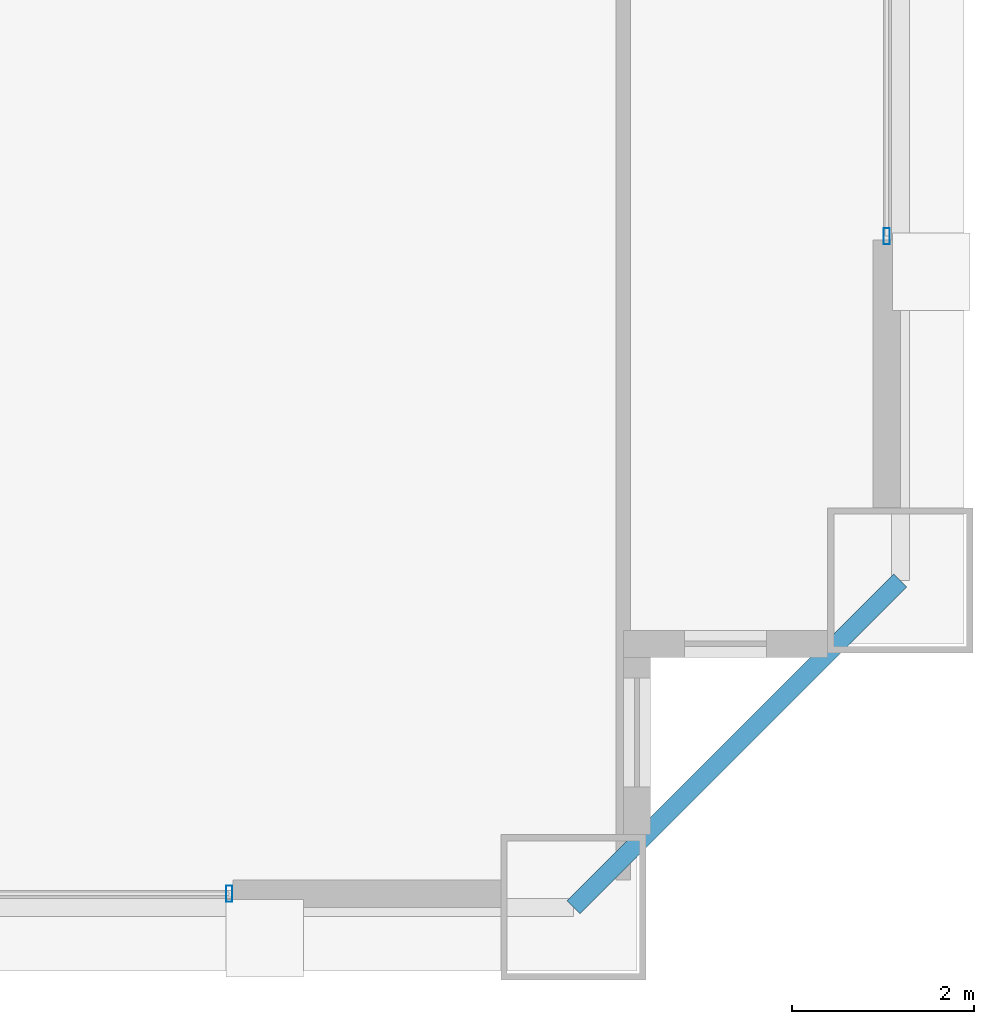
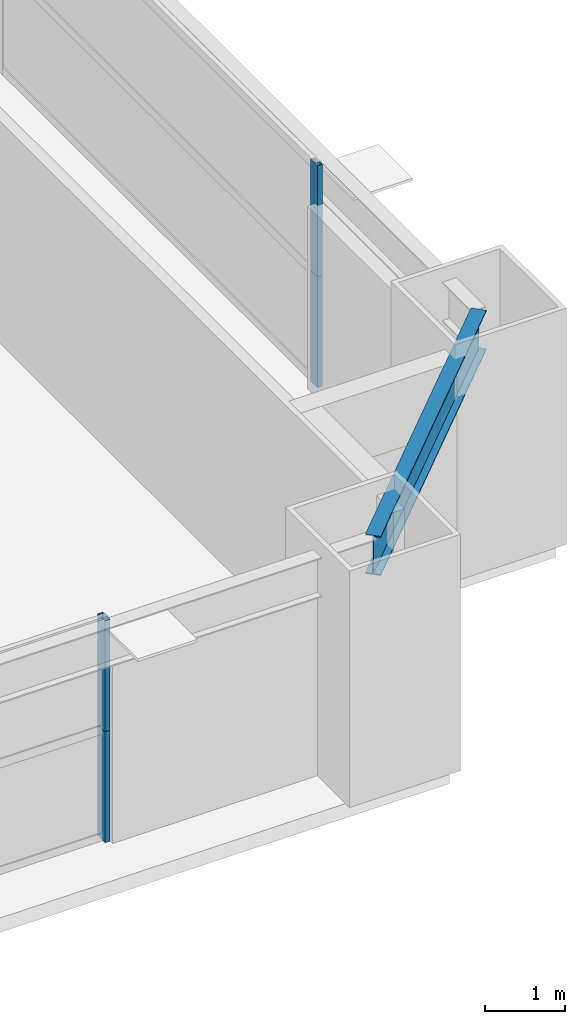
# One storey, part 16 of 39: 4 members, 1 beam, 2 elements without a shape of their own.
"""IFC4 building model written with IfcOpenShell, lengths in metres."""

from ifc_helpers import new_model, si_unit, direction, frame, origin, origin_2d, place, context, subcontext, project, spatial, hollow_rectangle, i_section, extrude, source, transform, mapped, material, layer, layer_set, material_profile, profile_set, type_object, element, aggregate, save


model = new_model("IFC4")

# Units and contexts
model_context = context("Model", 3, precision=1e-05, world=origin(), true_north=direction((0.0, 1.0)))
body_context = subcontext(model_context, "Body", "Model", "MODEL_VIEW")
ifc_project = project(units=[si_unit("LENGTHUNIT", "METRE"), si_unit("AREAUNIT", "SQUARE_METRE"), si_unit("VOLUMEUNIT", "CUBIC_METRE"), si_unit("PLANEANGLEUNIT", "RADIAN"), si_unit("MASSUNIT", "GRAM", prefix="KILO"), si_unit("THERMODYNAMICTEMPERATUREUNIT", "KELVIN"), si_unit("POWERUNIT", "WATT")], contexts=[model_context])

# Site, building, storey
site_placement = place(None, origin())
site = spatial("IfcSite", under=ifc_project, at=site_placement, CompositionType="ELEMENT")
building_placement = place(site_placement, origin())
building = spatial("IfcBuilding", under=site, at=building_placement, Name="Yuzanri Waterfront Tower", CompositionType="ELEMENT")
storey_placement = place(building_placement, frame((0.0, 0.0, 148.800048828125)))
storey = spatial("IfcBuildingStorey", under=building, at=storey_placement, Name="L39", CompositionType="ELEMENT", Elevation=148.800048828125)

# Beam
ifc_material_1 = material(Name="Steel Q355B", Category="steel")
ifc_material_profile_1 = material_profile(ifc_material_1, i_section(OverallWidth=0.199951171875, OverallDepth=0.60009765625, WebThickness=0.010986328125, FlangeThickness=0.01708984375, at=origin_2d()), Name="HN 600x200x11x17")
ifc_profile_set_1 = profile_set([ifc_material_profile_1], Name="Steel Q355B")
beam_type = type_object("IfcBeamType", Name="Perimeter Spandrel Q355B HN 600x200", PredefinedType="SPANDREL", material=ifc_profile_set_1)
shared_shape_1 = source(origin(), body_context, "Body", "SweptSolid", [
    extrude(i_section(OverallWidth=0.199951171875, OverallDepth=0.60009765625, WebThickness=0.010986328125, FlangeThickness=0.01708984375, at=origin_2d()), origin(), (0.0, 0.0, 1.0), 5.09130859375),
])
beam_placement = place(storey_placement, frame((57.0, 2.199951171875, 3.079833984375), z_axis=(0.707106781187, 0.707106781187, 0.0), x_axis=(-0.707106781187, 0.707106781187, 0.0)))
element("IfcBeam", 1, at=beam_placement, inside=storey, type_object=beam_type, Name="L39 Perimeter Spandrel S3-E1", PredefinedType="SPANDREL", context=body_context, shape_type="MappedRepresentation", body=[
    mapped(shared_shape_1, transform((0.0, 0.0, 0.0), scale=1.0)),
])

# Curtain wall, members
ifc_material_2 = material(Name="Anodized Architectural Bronze", Category="metal")
ifc_layer = layer(ifc_material_2, 0.159912109375)
ifc_layer_set = layer_set([ifc_layer], Name="Anodized Architectural Bronze")
curtain_wall_type = type_object("IfcCurtainWallType", Name="Anodized Bronze Hotel Upper-Tier Solar-Control Unitized Curtain Wall 7800", PredefinedType="NOTDEFINED", material=ifc_layer_set)
curtain_wall_1_placement = place(storey_placement, origin())
curtain_wall_1 = element("IfcCurtainWall", 2, at=curtain_wall_1_placement, inside=storey, type_object=curtain_wall_type, Name="L39 Curtain Wall CW-L39-SR", PredefinedType="NOTDEFINED")
ifc_material_3 = material(Name="Anodized Architectural Bronze", Category="metal")
ifc_material_profile_2 = material_profile(ifc_material_3, hollow_rectangle(XDim=0.070068359375, YDim=0.179931640625, WallThickness=0.00390625, at=origin_2d()), Name="CWM 70x180")
ifc_profile_set_2 = profile_set([ifc_material_profile_2], Name="Anodized Architectural Bronze")
member_type = type_object("IfcMemberType", Name="Anodized Bronze Standard Curtain-Wall Mullion 70x180", PredefinedType="MULLION", material=ifc_profile_set_2)
shared_shape_2 = source(origin(), body_context, "Body", "SweptSolid", [
    extrude(hollow_rectangle(XDim=0.070068359375, YDim=0.179931640625, WallThickness=0.00390625, at=origin_2d()), origin(), (0.0, 0.0, 1.0), 1.68798828125),
])
member_1_placement = place(storey_placement, frame((53.2099609375, 2.35009765625, 0.0), z_axis=(0.0, 0.0, 1.0), x_axis=(1.0, 0.0, 0.0)))
member_1 = element("IfcMember", 3, at=member_1_placement, type_object=member_type, Name="CW-L39-SR Lower Mullion 02", PredefinedType="MULLION", context=body_context, shape_type="MappedRepresentation", body=[
    mapped(shared_shape_2, transform((0.0, 0.0, 0.0), scale=1.0)),
])
member_2_placement = place(storey_placement, frame((53.2099609375, 2.35009765625, 1.69189453125), z_axis=(0.0, 0.0, 1.0), x_axis=(1.0, 0.0, 0.0)))
member_2 = element("IfcMember", 4, at=member_2_placement, type_object=member_type, Name="CW-L39-SR Upper Mullion 02", PredefinedType="MULLION", context=body_context, shape_type="MappedRepresentation", body=[
    mapped(shared_shape_2, transform((0.0, 0.0, 0.0), scale=1.0)),
])
aggregate(curtain_wall_1, [member_1, member_2])

curtain_wall_2_placement = place(storey_placement, origin())
curtain_wall_2 = element("IfcCurtainWall", 5, at=curtain_wall_2_placement, inside=storey, type_object=curtain_wall_type, Name="L39 Curtain Wall CW-L39-EL", PredefinedType="NOTDEFINED")
member_3_placement = place(storey_placement, frame((60.449951171875, 9.590087890625, 0.0), z_axis=(0.0, 0.0, 1.0), x_axis=(1.0, 0.0, 0.0)))
member_3 = element("IfcMember", 6, at=member_3_placement, type_object=member_type, Name="CW-L39-EL Lower Mullion 00", PredefinedType="MULLION", context=body_context, shape_type="MappedRepresentation", body=[
    mapped(shared_shape_2, transform((0.0, 0.0, 0.0), scale=1.0)),
])
member_4_placement = place(storey_placement, frame((60.449951171875, 9.590087890625, 1.69189453125), z_axis=(0.0, 0.0, 1.0), x_axis=(1.0, 0.0, 0.0)))
member_4 = element("IfcMember", 7, at=member_4_placement, type_object=member_type, Name="CW-L39-EL Upper Mullion 00", PredefinedType="MULLION", context=body_context, shape_type="MappedRepresentation", body=[
    mapped(shared_shape_2, transform((0.0, 0.0, 0.0), scale=1.0)),
])
aggregate(curtain_wall_2, [member_3, member_4])

save(model, "model.ifc")
